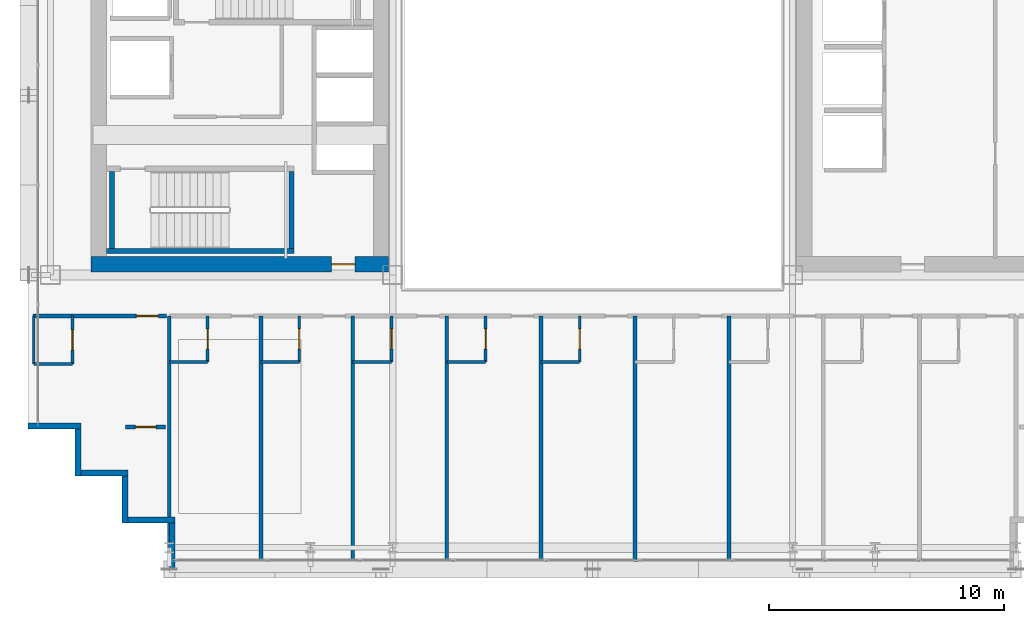
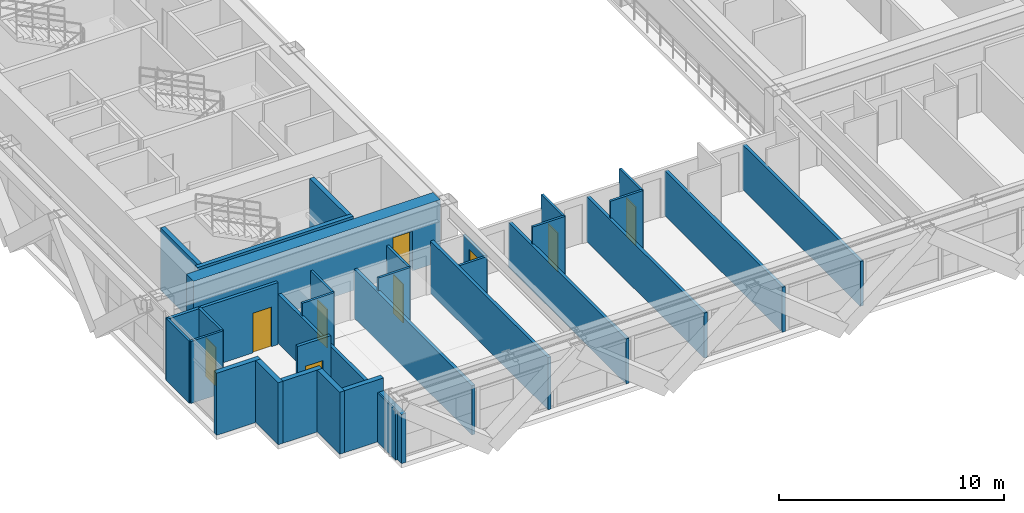
# One storey, part 27 of 36: 32 walls, 9 doors, 9 openings.
"""IFC4 building model written with IfcOpenShell, lengths in metres."""

from ifc_helpers import new_model, si_unit, direction, frame, frame_2d, origin, place, context, subcontext, project, spatial, rectangle, extrude, source, transform, mapped, material, layer, layer_set, type_object, element, fill, save


model = new_model("IFC4")

# Units and contexts
model_context = context("Model", 3, precision=1e-05, world=origin(), true_north=direction((0.0, 1.0)))
body_context = subcontext(model_context, "Body", "Model", "MODEL_VIEW")
ifc_project = project(units=[si_unit("LENGTHUNIT", "METRE"), si_unit("AREAUNIT", "SQUARE_METRE"), si_unit("VOLUMEUNIT", "CUBIC_METRE"), si_unit("PLANEANGLEUNIT", "RADIAN"), si_unit("MASSUNIT", "GRAM", prefix="KILO")], contexts=[model_context])

# Site, building, storey
site_placement = place(None, origin())
site = spatial("IfcSite", under=ifc_project, at=site_placement, CompositionType="ELEMENT")
building_placement = place(site_placement, origin())
building = spatial("IfcBuilding", under=site, at=building_placement, Name="Ocotamira Hotel", CompositionType="ELEMENT")
storey_placement = place(building_placement, frame((0.0, 0.0, 129.60009765625)))
storey = spatial("IfcBuildingStorey", under=building, at=storey_placement, Name="L32", CompositionType="ELEMENT", Elevation=129.60009765625)

# Wall, opening, door
ifc_material_1 = material(Name="Concrete C60/75", Category="concrete")
ifc_layer_1 = layer(ifc_material_1, 0.64990234375)
ifc_layer_set_1 = layer_set([ifc_layer_1], Name="Concrete C60/75")
wall_type_1 = type_object("IfcWallType", Name="WL-CORE-650", PredefinedType="SHEAR", material=ifc_layer_set_1)
wall_1_placement = place(storey_placement, frame((10.675048828125, 15.0, 0.0), z_axis=(0.0, 0.0, 1.0), x_axis=(1.0, 0.0, 0.0)))
wall_1 = element("IfcWall", 1, at=wall_1_placement, inside=storey, type_object=wall_type_1, Name="L32 Shear Core Wall WCORE-S", PredefinedType="SHEAR", context=body_context, shape_type="SweptSolid", body=[
    extrude(rectangle(XDim=12.64990234375, YDim=0.64990234375, at=frame_2d((6.324951171875, 0.0))), origin(), (0.0, 0.0, 1.0), 3.35986328125),
])
opening_1_placement = place(wall_1_placement, frame((10.22509765625, 0.0, 0.0)))
opening_1 = element("IfcOpeningElement", 2, at=opening_1_placement, cuts=wall_1, Name="Opening D-FR2", PredefinedType="OPENING", context=body_context, shape_type="SweptSolid", body=[
    extrude(rectangle(XDim=1.0, YDim=2.14990234375, at=frame_2d((0.5, 1.074951171875))), frame((0.0, 0.3349609375, 0.0), z_axis=(0.0, -1.0, 0.0), x_axis=(1.0, 0.0, 0.0)), (0.0, 0.0, 1.0), 0.669921875),
])
ifc_material_2 = material(Name="Fire-rated acoustic timber-veneer door", Category="wood")
door_type_1 = type_object("IfcDoorType", Name="DR-FIRE-1000", OperationType="NOTDEFINED", PredefinedType="DOOR", material=ifc_material_2)
shared_shape_1 = source(origin(), body_context, "Body", "SweptSolid", [
    extrude(rectangle(XDim=1.0, YDim=2.14990234375, at=frame_2d((0.5, 1.074951171875))), frame((0.0, 0.02490234375, 0.0), z_axis=(0.0, -1.0, 0.0), x_axis=(1.0, 0.0, 0.0)), (0.0, 0.0, 1.0), 0.050048828125),
])
door_1_placement = place(opening_1_placement, origin())
door_1 = element("IfcDoor", 3, at=door_1_placement, inside=storey, type_object=door_type_1, Name="L32 Door ID-L32-WLOB-S-D [ID-L32-WLOB-S-D]", OperationType="SINGLE_SWING_LEFT", OverallHeight=2.14990234375, OverallWidth=1.0, PredefinedType="DOOR", context=body_context, shape_type="MappedRepresentation", body=[
    mapped(shared_shape_1, transform((0.0, 0.0, 0.0), scale=1.0)),
])
fill(opening_1, door_1)

# Walls
ifc_material_3 = material(Name="Precast concrete C45/55", Category="concrete")
ifc_layer_2 = layer(ifc_material_3, 0.25)
ifc_layer_set_2 = layer_set([ifc_layer_2], Name="Precast concrete C45/55")
wall_type_2 = type_object("IfcWallType", Name="WL-EXT-SER-250", PredefinedType="SOLIDWALL", material=ifc_layer_set_2)
wall_2_placement = place(storey_placement, frame((8.0, 8.125, 0.0), z_axis=(0.0, 0.0, 1.0), x_axis=(1.0, 0.0, 0.0)))
element("IfcWall", 4, at=wall_2_placement, inside=storey, type_object=wall_type_2, Name="L32 Serrated Corner Wall 19", PredefinedType="SOLIDWALL", context=body_context, shape_type="SweptSolid", body=[
    extrude(rectangle(XDim=2.25, YDim=0.25, at=frame_2d((1.125, 0.0))), origin(), (0.0, 0.0, 1.0), 3.35986328125),
])
for number, where, z_axis, x_axis, name in (
    (5, (10.125, 8.0, 0.0), (0.0, 0.0, 1.0), (0.0, -1.0, 0.0), "L32 Serrated Corner Wall 20"),
    (6, (10.25, 6.125, 0.0), (0.0, 0.0, 1.0), (1.0, 0.0, 0.0), "L32 Serrated Corner Wall 21"),
    (7, (12.125, 6.0, 0.0), (0.0, 0.0, 1.0), (0.0, -1.0, 0.0), "L32 Serrated Corner Wall 22"),
    (8, (12.25, 4.125, 0.0), (0.0, 0.0, 1.0), (1.0, 0.0, 0.0), "L32 Serrated Corner Wall 23"),
):
    element("IfcWall", number, at=place(storey_placement, frame(where, z_axis=z_axis, x_axis=x_axis)), inside=storey, type_object=wall_type_2, Name=name, PredefinedType="SOLIDWALL", context=body_context, shape_type="SweptSolid", body=[
        extrude(rectangle(XDim=2.0, YDim=0.25, at=frame_2d((1.0, 0.0))), origin(), (0.0, 0.0, 1.0), 3.35986328125),
    ])
wall_3_placement = place(storey_placement, frame((14.125, 4.0, 0.0), z_axis=(0.0, 0.0, 1.0), x_axis=(0.0, -1.0, 0.0)))
element("IfcWall", 9, at=wall_3_placement, inside=storey, type_object=wall_type_2, Name="L32 Serrated Corner Wall 24", PredefinedType="SOLIDWALL", context=body_context, shape_type="SweptSolid", body=[
    extrude(rectangle(XDim=2.0, YDim=0.25, at=frame_2d((1.0, 0.0))), origin(), (0.0, 0.0, 1.0), 2.6669921875),
])

# Wall, opening, door
ifc_material_4 = material(Name="Acoustic double-layer fire gypsum board partition", Category="gypsum")
ifc_layer_3 = layer(ifc_material_4, 0.159912109375)
ifc_layer_set_3 = layer_set([ifc_layer_3], Name="Acoustic double-layer fire gypsum board partition")
wall_type_3 = type_object("IfcWallType", Name="WL-FIRE-160", PredefinedType="PARTITIONING", material=ifc_layer_set_3)
wall_4_placement = place(storey_placement, frame((8.199951171875, 12.800048828125, 0.0), z_axis=(0.0, 0.0, 1.0), x_axis=(1.0, 0.0, 0.0)))
wall_4 = element("IfcWall", 10, at=wall_4_placement, inside=storey, type_object=wall_type_3, Name="L32 Interior Wall PW-L32-Z2D-CSW-CW", PredefinedType="PARTITIONING", context=body_context, shape_type="SweptSolid", body=[
    extrude(rectangle(XDim=5.679931640625, YDim=0.159912109375, at=frame_2d((2.83984375, 0.0))), origin(), (0.0, 0.0, 1.0), 3.35986328125),
])
opening_2_placement = place(wall_4_placement, frame((4.39990234375, 0.0, 0.0)))
opening_2 = element("IfcOpeningElement", 11, at=opening_2_placement, cuts=wall_4, Name="Opening D-GR1", PredefinedType="OPENING", context=body_context, shape_type="SweptSolid", body=[
    extrude(rectangle(XDim=0.93994140625, YDim=2.14990234375, at=frame_2d((0.469970703125, 1.074951171875))), frame((0.0, 0.08984375, 0.0), z_axis=(0.0, -1.0, 0.0), x_axis=(1.0, 0.0, 0.0)), (0.0, 0.0, 1.0), 0.179931640625),
])
ifc_material_5 = material(Name="Solid-core walnut suite entrance fire door", Category="wood")
door_type_2 = type_object("IfcDoorType", Name="DR-GUEST-940", OperationType="NOTDEFINED", PredefinedType="DOOR", material=ifc_material_5)
shared_shape_2 = source(origin(), body_context, "Body", "SweptSolid", [
    extrude(rectangle(XDim=0.93994140625, YDim=2.14990234375, at=frame_2d((0.469970703125, 1.074951171875))), frame((0.0, 0.02490234375, 0.0), z_axis=(0.0, -1.0, 0.0), x_axis=(1.0, 0.0, 0.0)), (0.0, 0.0, 1.0), 0.050048828125),
])
door_2_placement = place(opening_2_placement, origin())
door_2 = element("IfcDoor", 12, at=door_2_placement, inside=storey, type_object=door_type_2, Name="L32 Door ID-L32-Z2D-CSW-CD [ID-L32-Z2D-CSW-CD]", OperationType="SINGLE_SWING_RIGHT", OverallHeight=2.14990234375, OverallWidth=0.93994140625, PredefinedType="DOOR", context=body_context, shape_type="MappedRepresentation", body=[
    mapped(shared_shape_2, transform((0.0, 0.0, 0.0), scale=1.0)),
])
fill(opening_2, door_2)

wall_5_placement = place(storey_placement, frame((12.14990234375, 8.080078125, 0.0), z_axis=(0.0, 0.0, 1.0), x_axis=(1.0, 0.0, 0.0)))
wall_5 = element("IfcWall", 13, at=wall_5_placement, inside=storey, type_object=wall_type_3, Name="L32 Interior Wall PW-L32-Z2D-CSW2-CW", PredefinedType="PARTITIONING", context=body_context, shape_type="SweptSolid", body=[
    extrude(rectangle(XDim=1.7001953125, YDim=0.159912109375, at=frame_2d((0.85009765625, 0.0))), origin(), (0.0, 0.0, 1.0), 3.35986328125),
])
opening_3_placement = place(wall_5_placement, frame((0.409912109375, 0.0, 0.0)))
opening_3 = element("IfcOpeningElement", 14, at=opening_3_placement, cuts=wall_5, Name="Opening D-SV2", PredefinedType="OPENING", context=body_context, shape_type="SweptSolid", body=[
    extrude(rectangle(XDim=0.8798828125, YDim=2.14990234375, at=frame_2d((0.43994140625, 1.074951171875))), frame((0.0, 0.08984375, 0.0), z_axis=(0.0, -1.0, 0.0), x_axis=(1.0, 0.0, 0.0)), (0.0, 0.0, 1.0), 0.179931640625),
])
ifc_material_6 = material(Name="Fire-rated painted steel service door", Category="steel")
door_type_3 = type_object("IfcDoorType", Name="DR-SERV-880", OperationType="NOTDEFINED", PredefinedType="DOOR", material=ifc_material_6)
shared_shape_3 = source(origin(), body_context, "Body", "SweptSolid", [
    extrude(rectangle(XDim=0.8798828125, YDim=2.14990234375, at=frame_2d((0.43994140625, 1.074951171875))), frame((0.0, 0.02490234375, 0.0), z_axis=(0.0, -1.0, 0.0), x_axis=(1.0, 0.0, 0.0)), (0.0, 0.0, 1.0), 0.050048828125),
])
door_3_placement = place(opening_3_placement, origin())
door_3 = element("IfcDoor", 15, at=door_3_placement, inside=storey, type_object=door_type_3, Name="L32 Door ID-L32-Z2D-CSW2-CD [ID-L32-Z2D-CSW2-CD]", OperationType="SINGLE_SWING_LEFT", OverallHeight=2.14990234375, OverallWidth=0.8798828125, PredefinedType="DOOR", context=body_context, shape_type="MappedRepresentation", body=[
    mapped(shared_shape_3, transform((0.0, 0.0, 0.0), scale=1.0)),
])
fill(opening_3, door_3)

ifc_material_7 = material(Name="Moisture-resistant en-suite tile and gypsum partition", Category="gypsum")
ifc_layer_4 = layer(ifc_material_7, 0.1201171875)
ifc_layer_set_4 = layer_set([ifc_layer_4], Name="Moisture-resistant en-suite tile and gypsum partition")
wall_type_4 = type_object("IfcWallType", Name="WL-PART-120", PredefinedType="PARTITIONING", material=ifc_layer_set_4)
wall_6_placement = place(storey_placement, frame((9.889892578125, 10.760009765625, 0.0), z_axis=(0.0, 0.0, 1.0), x_axis=(0.0, 1.0, 0.0)))
wall_6 = element("IfcWall", 16, at=wall_6_placement, inside=storey, type_object=wall_type_4, Name="L32 Interior Wall PW-L32-Z2D-CSW-BE", PredefinedType="PARTITIONING", context=body_context, shape_type="SweptSolid", body=[
    extrude(rectangle(XDim=2.0400390625, YDim=0.1201171875, at=frame_2d((1.02001953125, 0.0))), origin(), (0.0, 0.0, 1.0), 3.35986328125),
])
opening_4_placement = place(wall_6_placement, frame((0.590087890625, 0.0, 0.0)))
opening_4 = element("IfcOpeningElement", 17, at=opening_4_placement, cuts=wall_6, Name="Opening D-BA1", PredefinedType="OPENING", context=body_context, shape_type="SweptSolid", body=[
    extrude(rectangle(XDim=0.860107421875, YDim=2.10009765625, at=frame_2d((0.43017578125, 1.050048828125))), frame((0.0, 0.070068359375, 0.0), z_axis=(0.0, -1.0, 0.0), x_axis=(1.0, 0.0, 0.0)), (0.0, 0.0, 1.0), 0.14013671875),
])
ifc_material_8 = material(Name="Moisture-sealed en-suite timber door", Category="wood")
door_type_4 = type_object("IfcDoorType", Name="DR-BATH-860", OperationType="NOTDEFINED", PredefinedType="DOOR", material=ifc_material_8)
shared_shape_4 = source(origin(), body_context, "Body", "SweptSolid", [
    extrude(rectangle(XDim=0.860107421875, YDim=2.10009765625, at=frame_2d((0.43017578125, 1.050048828125))), frame((0.0, 0.02490234375, 0.0), z_axis=(0.0, -1.0, 0.0), x_axis=(1.0, 0.0, 0.0)), (0.0, 0.0, 1.0), 0.050048828125),
])
door_4_placement = place(opening_4_placement, origin())
door_4 = element("IfcDoor", 18, at=door_4_placement, inside=storey, type_object=door_type_4, Name="L32 Door ID-L32-Z2D-CSW-BD [ID-L32-Z2D-CSW-BD]", OperationType="SINGLE_SWING_LEFT", OverallHeight=2.10009765625, OverallWidth=0.860107421875, PredefinedType="DOOR", context=body_context, shape_type="MappedRepresentation", body=[
    mapped(shared_shape_4, transform((0.0, 0.0, 0.0), scale=1.0)),
])
fill(opening_4, door_4)

# Walls
wall_7_placement = place(storey_placement, frame((8.239990234375, 10.760009765625, 0.0), z_axis=(0.0, 0.0, 1.0), x_axis=(0.0, 1.0, 0.0)))
element("IfcWall", 19, at=wall_7_placement, inside=storey, type_object=wall_type_4, Name="L32 Interior Wall PW-L32-Z2D-CSW-BW", PredefinedType="PARTITIONING", context=body_context, shape_type="SweptSolid", body=[
    extrude(rectangle(XDim=2.0400390625, YDim=0.1201171875, at=frame_2d((1.02001953125, 0.0))), origin(), (0.0, 0.0, 1.0), 3.35986328125),
])
wall_8_placement = place(storey_placement, frame((8.239990234375, 10.760009765625, 0.0), z_axis=(0.0, 0.0, 1.0), x_axis=(1.0, 0.0, 0.0)))
element("IfcWall", 20, at=wall_8_placement, inside=storey, type_object=wall_type_4, Name="L32 Interior Wall PW-L32-Z2D-CSW-BH", PredefinedType="PARTITIONING", context=body_context, shape_type="SweptSolid", body=[
    extrude(rectangle(XDim=1.64990234375, YDim=0.1201171875, at=frame_2d((0.824951171875, 0.0))), origin(), (0.0, 0.0, 1.0), 3.35986328125),
])

# Wall, opening, door
wall_9_placement = place(storey_placement, frame((15.6298828125, 10.85009765625, 0.0), z_axis=(0.0, 0.0, 1.0), x_axis=(0.0, 1.0, 0.0)))
wall_9 = element("IfcWall", 21, at=wall_9_placement, inside=storey, type_object=wall_type_4, Name="L32 Interior Wall PW-L32-Z2DS-BAE1", PredefinedType="PARTITIONING", context=body_context, shape_type="SweptSolid", body=[
    extrude(rectangle(XDim=1.949951171875, YDim=0.1201171875, at=frame_2d((0.97509765625, 0.0))), origin(), (0.0, 0.0, 1.0), 3.35986328125),
])
opening_5_placement = place(wall_9_placement, frame((0.544921875, 0.0, 0.0)))
opening_5 = element("IfcOpeningElement", 22, at=opening_5_placement, cuts=wall_9, Name="Opening D-BA1", PredefinedType="OPENING", context=body_context, shape_type="SweptSolid", body=[
    extrude(rectangle(XDim=0.860107421875, YDim=2.10009765625, at=frame_2d((0.43017578125, 1.050048828125))), frame((0.0, 0.070068359375, 0.0), z_axis=(0.0, -1.0, 0.0), x_axis=(1.0, 0.0, 0.0)), (0.0, 0.0, 1.0), 0.14013671875),
])
door_5_placement = place(opening_5_placement, origin())
door_5 = element("IfcDoor", 23, at=door_5_placement, inside=storey, type_object=door_type_4, Name="L32 Door ID-L32-Z2DS-BAD1 [ID-L32-Z2DS-BAD1]", OperationType="SINGLE_SWING_RIGHT", OverallHeight=2.10009765625, OverallWidth=0.860107421875, PredefinedType="DOOR", context=body_context, shape_type="MappedRepresentation", body=[
    mapped(shared_shape_4, transform((0.0, 0.0, 0.0), scale=1.0)),
])
fill(opening_5, door_5)

# Wall
wall_10_placement = place(storey_placement, frame((14.0, 10.85009765625, 0.0), z_axis=(0.0, 0.0, 1.0), x_axis=(1.0, 0.0, 0.0)))
element("IfcWall", 24, at=wall_10_placement, inside=storey, type_object=wall_type_4, Name="L32 Interior Wall PW-L32-Z2DS-BAS1", PredefinedType="PARTITIONING", context=body_context, shape_type="SweptSolid", body=[
    extrude(rectangle(XDim=1.6298828125, YDim=0.1201171875, at=frame_2d((0.81494140625, 0.0))), origin(), (0.0, 0.0, 1.0), 3.35986328125),
])

# Wall, opening, door
wall_11_placement = place(storey_placement, frame((19.530029296875, 10.85009765625, 0.0), z_axis=(0.0, 0.0, 1.0), x_axis=(0.0, 1.0, 0.0)))
wall_11 = element("IfcWall", 25, at=wall_11_placement, inside=storey, type_object=wall_type_4, Name="L32 Interior Wall PW-L32-Z2DS-BAE2", PredefinedType="PARTITIONING", context=body_context, shape_type="SweptSolid", body=[
    extrude(rectangle(XDim=1.949951171875, YDim=0.1201171875, at=frame_2d((0.97509765625, 0.0))), origin(), (0.0, 0.0, 1.0), 3.35986328125),
])
opening_6_placement = place(wall_11_placement, frame((0.544921875, 0.0, 0.0)))
opening_6 = element("IfcOpeningElement", 26, at=opening_6_placement, cuts=wall_11, Name="Opening D-BA1", PredefinedType="OPENING", context=body_context, shape_type="SweptSolid", body=[
    extrude(rectangle(XDim=0.860107421875, YDim=2.10009765625, at=frame_2d((0.43017578125, 1.050048828125))), frame((0.0, 0.070068359375, 0.0), z_axis=(0.0, -1.0, 0.0), x_axis=(1.0, 0.0, 0.0)), (0.0, 0.0, 1.0), 0.14013671875),
])
door_6_placement = place(opening_6_placement, origin())
door_6 = element("IfcDoor", 27, at=door_6_placement, inside=storey, type_object=door_type_4, Name="L32 Door ID-L32-Z2DS-BAD2 [ID-L32-Z2DS-BAD2]", OperationType="SINGLE_SWING_LEFT", OverallHeight=2.10009765625, OverallWidth=0.860107421875, PredefinedType="DOOR", context=body_context, shape_type="MappedRepresentation", body=[
    mapped(shared_shape_4, transform((0.0, 0.0, 0.0), scale=1.0)),
])
fill(opening_6, door_6)

# Wall
wall_12_placement = place(storey_placement, frame((17.89990234375, 10.85009765625, 0.0), z_axis=(0.0, 0.0, 1.0), x_axis=(1.0, 0.0, 0.0)))
element("IfcWall", 28, at=wall_12_placement, inside=storey, type_object=wall_type_4, Name="L32 Interior Wall PW-L32-Z2DS-BAS2", PredefinedType="PARTITIONING", context=body_context, shape_type="SweptSolid", body=[
    extrude(rectangle(XDim=1.630126953125, YDim=0.1201171875, at=frame_2d((0.81494140625, 0.0))), origin(), (0.0, 0.0, 1.0), 3.35986328125),
])

# Wall, opening, door
wall_13_placement = place(storey_placement, frame((23.449951171875, 10.85009765625, 0.0), z_axis=(0.0, 0.0, 1.0), x_axis=(0.0, 1.0, 0.0)))
wall_13 = element("IfcWall", 29, at=wall_13_placement, inside=storey, type_object=wall_type_4, Name="L32 Interior Wall PW-L32-Z2DS-BAE3", PredefinedType="PARTITIONING", context=body_context, shape_type="SweptSolid", body=[
    extrude(rectangle(XDim=1.949951171875, YDim=0.1201171875, at=frame_2d((0.97509765625, 0.0))), origin(), (0.0, 0.0, 1.0), 2.580810546875),
])
opening_7_placement = place(wall_13_placement, frame((0.544921875, 0.0, 0.0)))
opening_7 = element("IfcOpeningElement", 30, at=opening_7_placement, cuts=wall_13, Name="Opening D-BA1", PredefinedType="OPENING", context=body_context, shape_type="SweptSolid", body=[
    extrude(rectangle(XDim=0.860107421875, YDim=2.10009765625, at=frame_2d((0.43017578125, 1.050048828125))), frame((0.0, 0.070068359375, 0.0), z_axis=(0.0, -1.0, 0.0), x_axis=(1.0, 0.0, 0.0)), (0.0, 0.0, 1.0), 0.14013671875),
])
door_7_placement = place(opening_7_placement, origin())
door_7 = element("IfcDoor", 31, at=door_7_placement, inside=storey, type_object=door_type_4, Name="L32 Door ID-L32-Z2DS-BAD3 [ID-L32-Z2DS-BAD3]", OperationType="SINGLE_SWING_RIGHT", OverallHeight=2.10009765625, OverallWidth=0.860107421875, PredefinedType="DOOR", context=body_context, shape_type="MappedRepresentation", body=[
    mapped(shared_shape_4, transform((0.0, 0.0, 0.0), scale=1.0)),
])
fill(opening_7, door_7)

# Wall
wall_14_placement = place(storey_placement, frame((21.800048828125, 10.85009765625, 0.0), z_axis=(0.0, 0.0, 1.0), x_axis=(1.0, 0.0, 0.0)))
element("IfcWall", 32, at=wall_14_placement, inside=storey, type_object=wall_type_4, Name="L32 Interior Wall PW-L32-Z2DS-BAS3", PredefinedType="PARTITIONING", context=body_context, shape_type="SweptSolid", body=[
    extrude(rectangle(XDim=1.64990234375, YDim=0.1201171875, at=frame_2d((0.824951171875, 0.0))), origin(), (0.0, 0.0, 1.0), 2.580810546875),
])

# Wall, opening, door
wall_15_placement = place(storey_placement, frame((27.449951171875, 10.85009765625, 0.0), z_axis=(0.0, 0.0, 1.0), x_axis=(0.0, 1.0, 0.0)))
wall_15 = element("IfcWall", 33, at=wall_15_placement, inside=storey, type_object=wall_type_4, Name="L32 Interior Wall PW-L32-Z2DS-BAE4", PredefinedType="PARTITIONING", context=body_context, shape_type="SweptSolid", body=[
    extrude(rectangle(XDim=1.949951171875, YDim=0.1201171875, at=frame_2d((0.97509765625, 0.0))), origin(), (0.0, 0.0, 1.0), 3.35986328125),
])
opening_8_placement = place(wall_15_placement, frame((0.544921875, 0.0, 0.0)))
opening_8 = element("IfcOpeningElement", 34, at=opening_8_placement, cuts=wall_15, Name="Opening D-BA1", PredefinedType="OPENING", context=body_context, shape_type="SweptSolid", body=[
    extrude(rectangle(XDim=0.860107421875, YDim=2.10009765625, at=frame_2d((0.43017578125, 1.050048828125))), frame((0.0, 0.070068359375, 0.0), z_axis=(0.0, -1.0, 0.0), x_axis=(1.0, 0.0, 0.0)), (0.0, 0.0, 1.0), 0.14013671875),
])
door_8_placement = place(opening_8_placement, origin())
door_8 = element("IfcDoor", 35, at=door_8_placement, inside=storey, type_object=door_type_4, Name="L32 Door ID-L32-Z2DS-BAD4 [ID-L32-Z2DS-BAD4]", OperationType="SINGLE_SWING_LEFT", OverallHeight=2.10009765625, OverallWidth=0.860107421875, PredefinedType="DOOR", context=body_context, shape_type="MappedRepresentation", body=[
    mapped(shared_shape_4, transform((0.0, 0.0, 0.0), scale=1.0)),
])
fill(opening_8, door_8)

# Wall
wall_16_placement = place(storey_placement, frame((25.800048828125, 10.85009765625, 0.0), z_axis=(0.0, 0.0, 1.0), x_axis=(1.0, 0.0, 0.0)))
element("IfcWall", 36, at=wall_16_placement, inside=storey, type_object=wall_type_4, Name="L32 Interior Wall PW-L32-Z2DS-BAS4", PredefinedType="PARTITIONING", context=body_context, shape_type="SweptSolid", body=[
    extrude(rectangle(XDim=1.64990234375, YDim=0.1201171875, at=frame_2d((0.824951171875, 0.0))), origin(), (0.0, 0.0, 1.0), 3.35986328125),
])

# Wall, opening, door
wall_17_placement = place(storey_placement, frame((31.449951171875, 10.85009765625, 0.0), z_axis=(0.0, 0.0, 1.0), x_axis=(0.0, 1.0, 0.0)))
wall_17 = element("IfcWall", 37, at=wall_17_placement, inside=storey, type_object=wall_type_4, Name="L32 Interior Wall PW-L32-Z2DS-BAE5", PredefinedType="PARTITIONING", context=body_context, shape_type="SweptSolid", body=[
    extrude(rectangle(XDim=1.949951171875, YDim=0.1201171875, at=frame_2d((0.97509765625, 0.0))), origin(), (0.0, 0.0, 1.0), 3.35986328125),
])
opening_9_placement = place(wall_17_placement, frame((0.544921875, 0.0, 0.0)))
opening_9 = element("IfcOpeningElement", 38, at=opening_9_placement, cuts=wall_17, Name="Opening D-BA1", PredefinedType="OPENING", context=body_context, shape_type="SweptSolid", body=[
    extrude(rectangle(XDim=0.860107421875, YDim=2.10009765625, at=frame_2d((0.43017578125, 1.050048828125))), frame((0.0, 0.070068359375, 0.0), z_axis=(0.0, -1.0, 0.0), x_axis=(1.0, 0.0, 0.0)), (0.0, 0.0, 1.0), 0.14013671875),
])
door_9_placement = place(opening_9_placement, origin())
door_9 = element("IfcDoor", 39, at=door_9_placement, inside=storey, type_object=door_type_4, Name="L32 Door ID-L32-Z2DS-BAD5 [ID-L32-Z2DS-BAD5]", OperationType="SINGLE_SWING_RIGHT", OverallHeight=2.10009765625, OverallWidth=0.860107421875, PredefinedType="DOOR", context=body_context, shape_type="MappedRepresentation", body=[
    mapped(shared_shape_4, transform((0.0, 0.0, 0.0), scale=1.0)),
])
fill(opening_9, door_9)

# Walls
wall_18_placement = place(storey_placement, frame((29.800048828125, 10.85009765625, 0.0), z_axis=(0.0, 0.0, 1.0), x_axis=(1.0, 0.0, 0.0)))
element("IfcWall", 40, at=wall_18_placement, inside=storey, type_object=wall_type_4, Name="L32 Interior Wall PW-L32-Z2DS-BAS5", PredefinedType="PARTITIONING", context=body_context, shape_type="SweptSolid", body=[
    extrude(rectangle(XDim=1.64990234375, YDim=0.1201171875, at=frame_2d((0.824951171875, 0.0))), origin(), (0.0, 0.0, 1.0), 3.35986328125),
])
ifc_material_9 = material(Name="Acoustic double-stud hospitality gypsum partition", Category="gypsum")
ifc_layer_5 = layer(ifc_material_9, 0.159912109375)
ifc_layer_set_5 = layer_set([ifc_layer_5], Name="Acoustic double-stud hospitality gypsum partition")
wall_type_5 = type_object("IfcWallType", Name="WL-PART-160", PredefinedType="PARTITIONING", material=ifc_layer_set_5)
for number, where, z_axis, x_axis, name in (
    (41, (14.0, 2.360107421875, 0.0), (0.0, 0.0, 1.0), (0.0, 1.0, 0.0), "L32 Interior Wall PW-L32-Z2DS-PW0"),
    (42, (17.89990234375, 2.360107421875, 0.0), (0.0, 0.0, 1.0), (0.0, 1.0, 0.0), "L32 Interior Wall PW-L32-Z2DS-PW1"),
):
    element("IfcWall", number, at=place(storey_placement, frame(where, z_axis=z_axis, x_axis=x_axis)), inside=storey, type_object=wall_type_5, Name=name, PredefinedType="PARTITIONING", context=body_context, shape_type="SweptSolid", body=[
        extrude(rectangle(XDim=10.43994140625, YDim=0.159912109375, at=frame_2d((5.219970703125, 0.0))), origin(), (0.0, 0.0, 1.0), 2.6669921875),
    ])
wall_19_placement = place(storey_placement, frame((21.800048828125, 2.360107421875, 0.0), z_axis=(0.0, 0.0, 1.0), x_axis=(0.0, 1.0, 0.0)))
element("IfcWall", 43, at=wall_19_placement, inside=storey, type_object=wall_type_5, Name="L32 Interior Wall PW-L32-Z2DS-PW2", PredefinedType="PARTITIONING", context=body_context, shape_type="SweptSolid", body=[
    extrude(rectangle(XDim=10.43994140625, YDim=0.159912109375, at=frame_2d((5.219970703125, 0.0))), origin(), (0.0, 0.0, 1.0), 2.822998046875),
])
for number, where, z_axis, x_axis, name in (
    (44, (25.800048828125, 2.360107421875, 0.0), (0.0, 0.0, 1.0), (0.0, 1.0, 0.0), "L32 Interior Wall PW-L32-Z2DS-PW3"),
    (45, (29.800048828125, 2.360107421875, 0.0), (0.0, 0.0, 1.0), (0.0, 1.0, 0.0), "L32 Interior Wall PW-L32-Z2DS-PW4"),
    (46, (33.800048828125, 2.360107421875, 0.0), (0.0, 0.0, 1.0), (0.0, 1.0, 0.0), "L32 Interior Wall PW-L32-Z2DS-PW5"),
    (47, (37.800048828125, 2.360107421875, 0.0), (0.0, 0.0, 1.0), (0.0, 1.0, 0.0), "L32 Interior Wall PW-L32-Z2DS-PW6"),
):
    element("IfcWall", number, at=place(storey_placement, frame(where, z_axis=z_axis, x_axis=x_axis)), inside=storey, type_object=wall_type_5, Name=name, PredefinedType="PARTITIONING", context=body_context, shape_type="SweptSolid", body=[
        extrude(rectangle(XDim=10.43994140625, YDim=0.159912109375, at=frame_2d((5.219970703125, 0.0))), origin(), (0.0, 0.0, 1.0), 2.432861328125),
    ])
ifc_material_10 = material(Name="Concrete C50/60", Category="concrete")
ifc_layer_6 = layer(ifc_material_10, 0.219970703125)
ifc_layer_set_6 = layer_set([ifc_layer_6], Name="Concrete C50/60")
wall_type_6 = type_object("IfcWallType", Name="WL-STAIR-220", PredefinedType="SHEAR", material=ifc_layer_set_6)
wall_20_placement = place(storey_placement, frame((11.324951171875, 15.56005859375, 0.0), z_axis=(0.0, 0.0, 1.0), x_axis=(1.0, 0.0, 0.0)))
element("IfcWall", 48, at=wall_20_placement, inside=storey, type_object=wall_type_6, Name="L32 Stair Shaft Structural Wall ST-1-S", PredefinedType="SHEAR", context=body_context, shape_type="SweptSolid", body=[
    extrude(rectangle(XDim=7.985107421875, YDim=0.219970703125, at=frame_2d((3.99267578125, 0.0))), origin(), (0.0, 0.0, 1.0), 3.39990234375),
])
for number, where, z_axis, x_axis, name in (
    (49, (11.56005859375, 15.669921875, 0.0), (0.0, 0.0, 1.0), (0.0, 1.0, 0.0), "L32 Stair Shaft Structural Wall ST-1-W"),
    (50, (19.199951171875, 15.669921875, 0.0), (0.0, 0.0, 1.0), (0.0, 1.0, 0.0), "L32 Stair Shaft Structural Wall ST-1-E"),
):
    element("IfcWall", number, at=place(storey_placement, frame(where, z_axis=z_axis, x_axis=x_axis)), inside=storey, type_object=wall_type_6, Name=name, PredefinedType="SHEAR", context=body_context, shape_type="SweptSolid", body=[
        extrude(rectangle(XDim=3.280029296875, YDim=0.219970703125, at=frame_2d((1.64013671875, 0.0))), origin(), (0.0, 0.0, 1.0), 3.39990234375),
    ])

save(model, "model.ifc")
